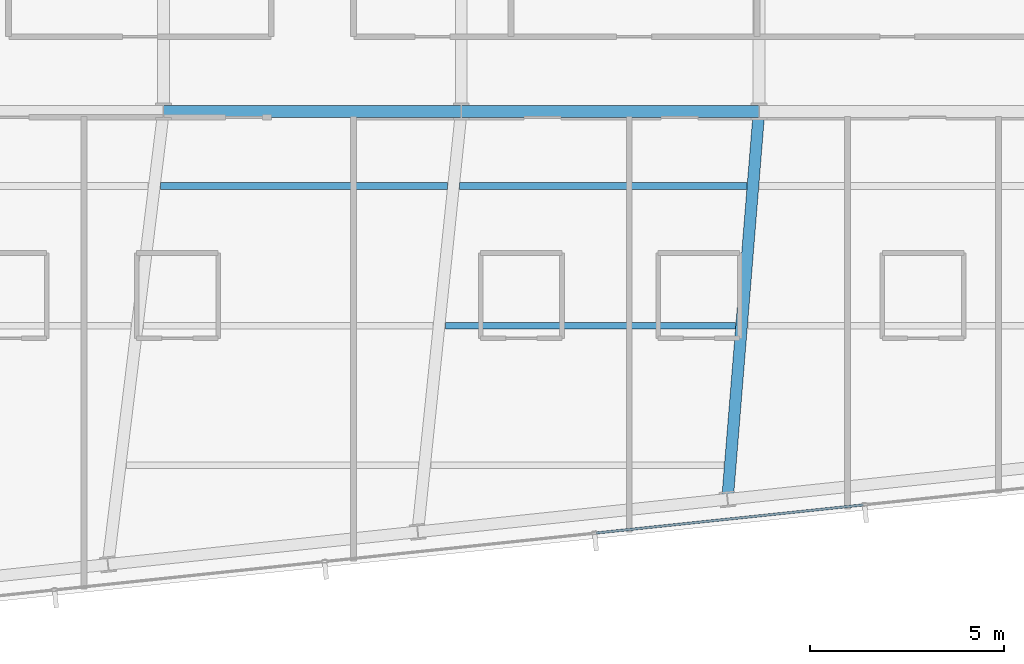
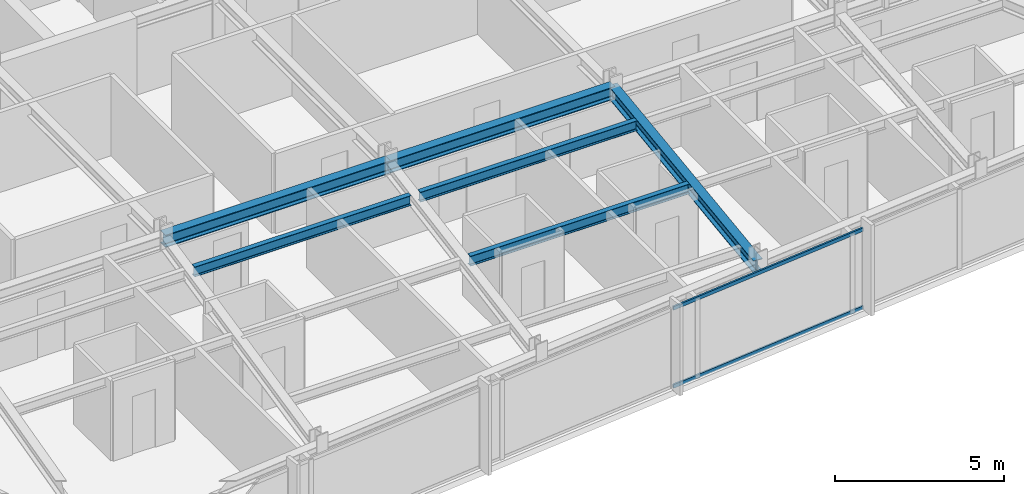
# One storey, part 9 of 33: 6 beams, 2 members, 1 element without a shape of its own.
"""IFC4 building model written with IfcOpenShell, lengths in metres."""

from ifc_helpers import new_model, si_unit, direction, frame, origin, origin_2d, place, context, subcontext, project, spatial, hollow_rectangle, i_section, extrude, material, material_profile, profile_set, type_object, element, aggregate, save


model = new_model("IFC4")

# Units and contexts
model_context = context("Model", 3, precision=1e-05, world=origin(), true_north=direction((0.0, 1.0)))
body_context = subcontext(model_context, "Body", "Model", "MODEL_VIEW")
ifc_project = project(units=[si_unit("LENGTHUNIT", "METRE"), si_unit("AREAUNIT", "SQUARE_METRE"), si_unit("VOLUMEUNIT", "CUBIC_METRE"), si_unit("PLANEANGLEUNIT", "RADIAN"), si_unit("MASSUNIT", "GRAM", prefix="KILO")], contexts=[model_context])

# Site, building, storey
site_placement = place(None, origin())
site = spatial("IfcSite", under=ifc_project, at=site_placement, CompositionType="ELEMENT")
building_placement = place(site_placement, origin())
building = spatial("IfcBuilding", under=site, at=building_placement, Name="Yelkora Congress Tower", CompositionType="ELEMENT")
storey_placement = place(building_placement, frame((0.0, 0.0, 244.10009765625)))
storey = spatial("IfcBuildingStorey", under=building, at=storey_placement, Name="L68", CompositionType="ELEMENT", Elevation=244.10009765625)

# Beams
ifc_material_1 = material(Name="Steel S355J2", Category="steel")
ifc_material_profile_1 = material_profile(ifc_material_1, i_section(OverallWidth=0.300048828125, OverallDepth=0.449951171875, WebThickness=0.013916015625, FlangeThickness=0.02587890625, FilletRadius=0.027099609375, at=origin_2d()), Name="HEB 450")
ifc_profile_set_1 = profile_set([ifc_material_profile_1], Name="Steel S355J2")
beam_type_1 = type_object("IfcBeamType", Name="BM-GIRD-HEB450", PredefinedType="BEAM", material=ifc_profile_set_1)
beam_1_placement = place(storey_placement, frame((30.719970703125, 25.199951171875, 2.65478515625), z_axis=(1.0, 0.0, 0.0), x_axis=(0.0, 1.0, 0.0)))
element("IfcBeam", 1, at=beam_1_placement, inside=storey, type_object=beam_type_1, Name="L68 Spine Grid D Girder 3", PredefinedType="BEAM", context=body_context, shape_type="SweptSolid", body=[
    extrude(i_section(OverallWidth=0.300048828125, OverallDepth=0.449951171875, WebThickness=0.013916015625, FlangeThickness=0.02587890625, FilletRadius=0.027099609375, at=origin_2d()), origin(), (0.0, 0.0, 1.0), 7.679931640625),
])
beam_2_placement = place(storey_placement, frame((38.39990234375, 25.199951171875, 2.65478515625), z_axis=(1.0, 0.0, 0.0), x_axis=(0.0, 1.0, 0.0)))
element("IfcBeam", 2, at=beam_2_placement, inside=storey, type_object=beam_type_1, Name="L68 Spine Grid D Girder 4", PredefinedType="BEAM", context=body_context, shape_type="SweptSolid", body=[
    extrude(i_section(OverallWidth=0.300048828125, OverallDepth=0.449951171875, WebThickness=0.013916015625, FlangeThickness=0.02587890625, FilletRadius=0.027099609375, at=origin_2d()), origin(), (0.0, 0.0, 1.0), 7.68017578125),
])
beam_3_placement = place(storey_placement, frame((45.26708984375, 15.197509765625, 2.65478515625), z_axis=(0.081011831965, 0.996713139816, 0.0), x_axis=(-0.996713139816, 0.081011831965, 0.0)))
element("IfcBeam", 3, at=beam_3_placement, inside=storey, type_object=beam_type_1, Name="L68 Primary Frame Girder S04", PredefinedType="BEAM", context=body_context, shape_type="SweptSolid", body=[
    extrude(i_section(OverallWidth=0.300048828125, OverallDepth=0.449951171875, WebThickness=0.013916015625, FlangeThickness=0.02587890625, FilletRadius=0.027099609375, at=origin_2d()), origin(), (0.0, 0.0, 1.0), 10.035400390625),
])
ifc_material_profile_2 = material_profile(ifc_material_1, i_section(OverallWidth=0.169921875, OverallDepth=0.360107421875, WebThickness=0.008056640625, FlangeThickness=0.0126953125, FilletRadius=0.01806640625, at=origin_2d()), Name="IPE 360")
ifc_profile_set_2 = profile_set([ifc_material_profile_2], Name="Steel S355J2")
beam_type_2 = type_object("IfcBeamType", Name="BM-JOIST-IPE360", PredefinedType="JOIST", material=ifc_profile_set_2)
beam_4_placement = place(storey_placement, frame((37.988525390625, 19.678466796875, 2.699951171875), z_axis=(1.0, 0.0, 0.0), x_axis=(0.0, 1.0, 0.0)))
element("IfcBeam", 4, at=beam_4_placement, inside=storey, type_object=beam_type_2, Name="L68 Composite Floor Joist 5", PredefinedType="JOIST", context=body_context, shape_type="SweptSolid", body=[
    extrude(i_section(OverallWidth=0.169921875, OverallDepth=0.360107421875, WebThickness=0.008056640625, FlangeThickness=0.0126953125, FilletRadius=0.01806640625, at=origin_2d()), origin(), (0.0, 0.0, 1.0), 7.482666015625),
])
beam_5_placement = place(storey_placement, frame((30.64453125, 23.278564453125, 2.699951171875), z_axis=(1.0, 0.0, 0.0), x_axis=(0.0, 1.0, 0.0)))
element("IfcBeam", 5, at=beam_5_placement, inside=storey, type_object=beam_type_2, Name="L68 Composite Floor Joist 10", PredefinedType="JOIST", context=body_context, shape_type="SweptSolid", body=[
    extrude(i_section(OverallWidth=0.169921875, OverallDepth=0.360107421875, WebThickness=0.008056640625, FlangeThickness=0.0126953125, FilletRadius=0.01806640625, at=origin_2d()), origin(), (0.0, 0.0, 1.0), 7.396484375),
])
beam_6_placement = place(storey_placement, frame((38.361083984375, 23.278564453125, 2.699951171875), z_axis=(1.0, 0.0, 0.0), x_axis=(0.0, 1.0, 0.0)))
element("IfcBeam", 6, at=beam_6_placement, inside=storey, type_object=beam_type_2, Name="L68 Composite Floor Joist 11", PredefinedType="JOIST", context=body_context, shape_type="SweptSolid", body=[
    extrude(i_section(OverallWidth=0.169921875, OverallDepth=0.360107421875, WebThickness=0.008056640625, FlangeThickness=0.0126953125, FilletRadius=0.01806640625, at=origin_2d()), origin(), (0.0, 0.0, 1.0), 7.40283203125),
])

# Curtain wall, members
ifc_material_2 = material(Name="Anodised aluminium and insulated glass", Category="aluminium")
curtain_wall_type = type_object("IfcCurtainWallType", Name="CW-SYS-B4", PredefinedType="NOTDEFINED", material=ifc_material_2)
curtain_wall_placement = place(storey_placement, origin())
curtain_wall = element("IfcCurtainWall", 7, at=curtain_wall_placement, inside=storey, type_object=curtain_wall_type, Name="L68 Unitised Curtain Wall 20", PredefinedType="NOTDEFINED")
ifc_material_3 = material(Name="Anodised aluminium 6063-T6", Category="aluminium")
ifc_material_profile_3 = material_profile(ifc_material_3, hollow_rectangle(XDim=0.06005859375, YDim=0.1298828125, WallThickness=0.00390625, at=origin_2d()), Name="ALU 60x130x4")
ifc_profile_set_3 = profile_set([ifc_material_profile_3], Name="Anodised aluminium 6063-T6")
member_type = type_object("IfcMemberType", Name="MEM-TR-B4", PredefinedType="USERDEFINED", material=ifc_profile_set_3)
member_1_placement = place(storey_placement, frame((48.770263671875, 15.052978515625, 0.02978515625), z_axis=(-0.99452356298, -0.104512595784, 0.0), x_axis=(0.104512595784, -0.99452356298, 0.0)))
member_1 = element("IfcMember", 8, at=member_1_placement, type_object=member_type, Name="CW-B4 transom 4.1", ObjectType="TRANSOM", PredefinedType="USERDEFINED", context=body_context, shape_type="SweptSolid", body=[
    extrude(hollow_rectangle(XDim=0.06005859375, YDim=0.1298828125, WallThickness=0.00390625, at=origin_2d()), origin(), (0.0, 0.0, 1.0), 6.93798828125),
])
member_2_placement = place(storey_placement, frame((48.770263671875, 15.052978515625, 2.849853515625), z_axis=(-0.99452356298, -0.104512595784, 0.0), x_axis=(0.104512595784, -0.99452356298, 0.0)))
member_2 = element("IfcMember", 9, at=member_2_placement, type_object=member_type, Name="CW-B4 transom 4.2", ObjectType="TRANSOM", PredefinedType="USERDEFINED", context=body_context, shape_type="SweptSolid", body=[
    extrude(hollow_rectangle(XDim=0.06005859375, YDim=0.1298828125, WallThickness=0.00390625, at=origin_2d()), origin(), (0.0, 0.0, 1.0), 6.93798828125),
])
aggregate(curtain_wall, [member_1, member_2])

save(model, "model.ifc")
